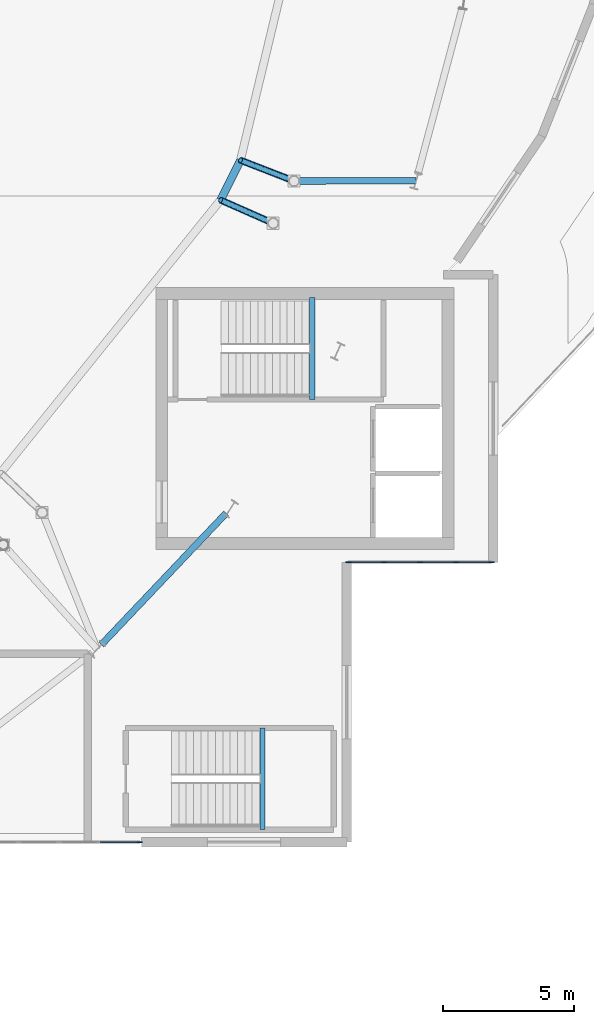
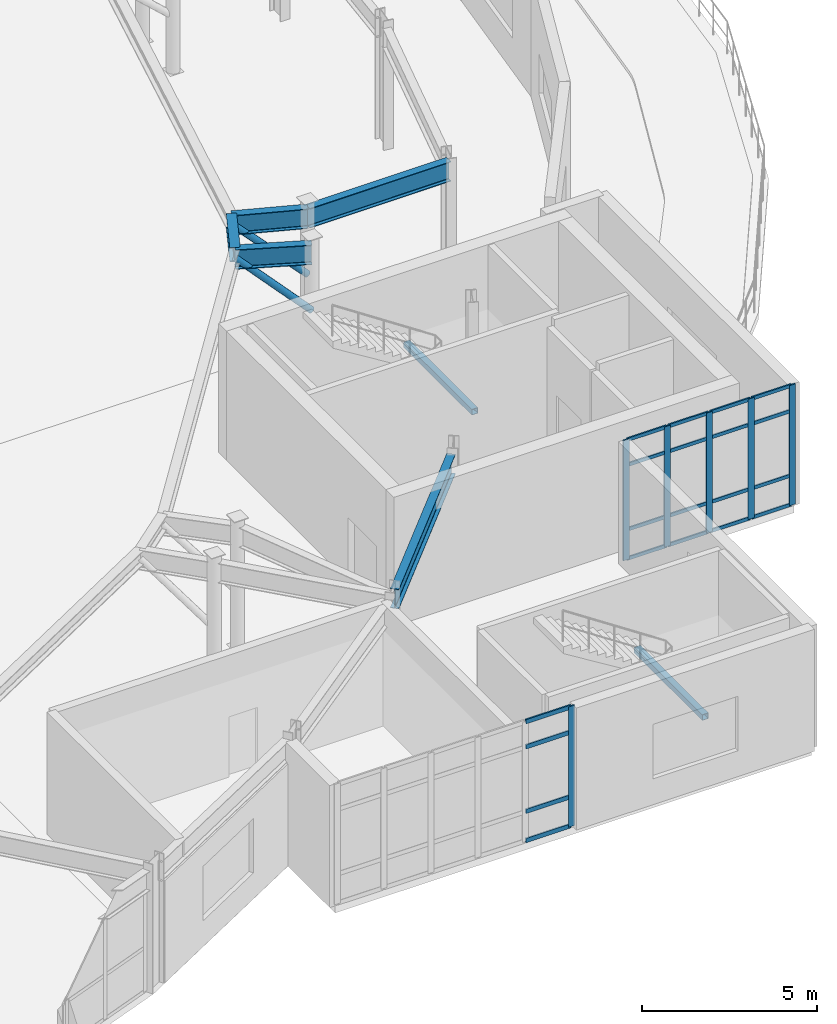
# One storey, part 29 of 48: 28 members, 7 beams, 2 elements without a shape of their own.
"""IFC4 building model written with IfcOpenShell, lengths in metres."""

from ifc_helpers import new_model, si_unit, direction, frame, origin, origin_2d, place, context, subcontext, project, spatial, rectangle, hollow_rectangle, hollow_circle, i_section, extrude, material, material_profile, profile_set, type_object, element, aggregate, save


model = new_model("IFC4")

# Units and contexts
model_context = context("Model", 3, precision=1e-05, world=origin(), true_north=direction((0.0, 1.0)))
body_context = subcontext(model_context, "Body", "Model", "MODEL_VIEW")
ifc_project = project(units=[si_unit("LENGTHUNIT", "METRE"), si_unit("AREAUNIT", "SQUARE_METRE"), si_unit("VOLUMEUNIT", "CUBIC_METRE"), si_unit("PLANEANGLEUNIT", "RADIAN"), si_unit("MASSUNIT", "GRAM", prefix="KILO")], contexts=[model_context])

# Site, building, storey
site_placement = place(None, origin())
site = spatial("IfcSite", under=ifc_project, at=site_placement, CompositionType="ELEMENT")
building_placement = place(site_placement, origin())
building = spatial("IfcBuilding", under=site, at=building_placement, Name="Glasvene Arena", CompositionType="ELEMENT")
storey_placement = place(building_placement, frame((0.0, 0.0, 19.5)))
storey = spatial("IfcBuildingStorey", under=building, at=storey_placement, Name="L04", CompositionType="ELEMENT", Elevation=19.5)

# Beams
ifc_material_1 = material(Name="Steel S355J2", Category="steel")
ifc_material_profile_1 = material_profile(ifc_material_1, i_section(OverallWidth=0.300048828125, OverallDepth=0.5, WebThickness=0.014404296875, FlangeThickness=0.028076171875, FilletRadius=0.027099609375, at=origin_2d()), Name="HEB 500")
ifc_profile_set_1 = profile_set([ifc_material_profile_1], Name="Steel S355J2")
beam_type_1 = type_object("IfcBeamType", Name="BM-EAVE-CANT", PredefinedType="BEAM", material=ifc_profile_set_1)
beam_1_placement = place(storey_placement, frame((132.0751953125, 58.351318359375, 4.0), z_axis=(0.447041372235, 0.894513281908, 0.0), x_axis=(-0.894513281908, 0.447041372235, 0.0)))
element("IfcBeam", 1, at=beam_1_placement, inside=storey, type_object=beam_type_1, Name="Gondola inner ring girder 30", PredefinedType="BEAM", context=body_context, shape_type="SweptSolid", body=[
    extrude(i_section(OverallWidth=0.300048828125, OverallDepth=0.5, WebThickness=0.014404296875, FlangeThickness=0.028076171875, FilletRadius=0.027099609375, at=origin_2d()), origin(), (0.0, 0.0, 1.0), 1.701171875),
])
ifc_material_profile_2 = material_profile(ifc_material_1, i_section(OverallWidth=0.253662109375, OverallDepth=0.68359375, WebThickness=0.012451171875, FlangeThickness=0.01904296875, FilletRadius=0.01513671875, at=origin_2d()), Name="UKB 686x254x140")
ifc_profile_set_2 = profile_set([ifc_material_profile_2], Name="Steel S355J2")
beam_type_2 = type_object("IfcBeamType", Name="BM-GIRD-686", PredefinedType="BEAM", material=ifc_profile_set_2)
beam_2_placement = place(storey_placement, frame((127.5205078125, 41.354248046875, 3.908203125), z_axis=(0.688366558931, 0.725362999157, 0.0), x_axis=(-0.725362999157, 0.688366558931, 0.0)))
element("IfcBeam", 2, at=beam_2_placement, inside=storey, type_object=beam_type_2, Name="Bowl ring chord beam L04-36", PredefinedType="BEAM", context=body_context, shape_type="SweptSolid", body=[
    extrude(i_section(OverallWidth=0.253662109375, OverallDepth=0.68359375, WebThickness=0.012451171875, FlangeThickness=0.01904296875, FilletRadius=0.01513671875, at=origin_2d()), origin(), (0.0, 0.0, 1.0), 6.92236328125),
])
beam_3_placement = place(storey_placement, frame((132.0751953125, 58.351318359375, 3.908203125), z_axis=(0.914938290662, -0.403593761448, 0.0), x_axis=(0.403593761448, 0.914938290662, 0.0)))
element("IfcBeam", 3, at=beam_3_placement, inside=storey, type_object=beam_type_2, Name="Gondola inner bracket beam 30", PredefinedType="BEAM", context=body_context, shape_type="SweptSolid", body=[
    extrude(i_section(OverallWidth=0.253662109375, OverallDepth=0.68359375, WebThickness=0.012451171875, FlangeThickness=0.01904296875, FilletRadius=0.01513671875, at=origin_2d()), origin(), (0.0, 0.0, 1.0), 2.2001953125),
])
beam_4_placement = place(storey_placement, frame((134.886962890625, 59.077392578125, 3.908203125), z_axis=(0.999993482259, 0.003610462575, 0.0), x_axis=(-0.003610462575, 0.999993482259, 0.0)))
element("IfcBeam", 4, at=beam_4_placement, inside=storey, type_object=beam_type_2, Name="Gondola outer floor beam 31", PredefinedType="BEAM", context=body_context, shape_type="SweptSolid", body=[
    extrude(i_section(OverallWidth=0.253662109375, OverallDepth=0.68359375, WebThickness=0.012451171875, FlangeThickness=0.01904296875, FilletRadius=0.01513671875, at=origin_2d()), origin(), (0.0, 0.0, 1.0), 4.665771484375),
])
beam_5_placement = place(storey_placement, frame((132.835693359375, 59.873046875, 3.908203125), z_axis=(0.932320846593, -0.361632187461, 0.0), x_axis=(0.361632187461, 0.932320846593, 0.0)))
element("IfcBeam", 5, at=beam_5_placement, inside=storey, type_object=beam_type_2, Name="Gondola inner bracket beam 31", PredefinedType="BEAM", context=body_context, shape_type="SweptSolid", body=[
    extrude(i_section(OverallWidth=0.253662109375, OverallDepth=0.68359375, WebThickness=0.012451171875, FlangeThickness=0.01904296875, FilletRadius=0.01513671875, at=origin_2d()), origin(), (0.0, 0.0, 1.0), 2.2001953125),
])
ifc_material_profile_3 = material_profile(ifc_material_1, hollow_rectangle(XDim=0.199951171875, YDim=0.199951171875, WallThickness=0.010009765625, at=origin_2d()), Name="SHS 200x200x10.0")
ifc_profile_set_3 = profile_set([ifc_material_profile_3], Name="Steel S355J2")
beam_type_3 = type_object("IfcBeamType", Name="BM-LINTEL-200", PredefinedType="LINTEL", material=ifc_profile_set_3)
beam_6_placement = place(storey_placement, frame((135.580078125, 50.72998046875, 1.929931640625), z_axis=(0.0, 1.0, 0.0), x_axis=(-1.0, 0.0, 0.0)))
element("IfcBeam", 6, at=beam_6_placement, inside=storey, type_object=beam_type_3, Name="Stair half-landing support beam ST-04-L04", PredefinedType="LINTEL", context=body_context, shape_type="SweptSolid", body=[
    extrude(hollow_rectangle(XDim=0.199951171875, YDim=0.199951171875, WallThickness=0.010009765625, at=origin_2d()), origin(), (0.0, 0.0, 1.0), 3.89013671875),
])
beam_7_placement = place(storey_placement, frame((133.679931640625, 34.280029296875, 1.929931640625), z_axis=(0.0, 1.0, 0.0), x_axis=(-1.0, 0.0, 0.0)))
element("IfcBeam", 7, at=beam_7_placement, inside=storey, type_object=beam_type_3, Name="Stair half-landing support beam ST-06-L04", PredefinedType="LINTEL", context=body_context, shape_type="SweptSolid", body=[
    extrude(hollow_rectangle(XDim=0.199951171875, YDim=0.199951171875, WallThickness=0.010009765625, at=origin_2d()), origin(), (0.0, 0.0, 1.0), 3.889892578125),
])

# Curtain wall, members
ifc_material_2 = material(Name="Low-emissivity laminated double glazing", Category="glass")
curtain_wall_type_1 = type_object("IfcCurtainWallType", Name="CW-FAC-L04-552x419", PredefinedType="USERDEFINED", material=ifc_material_2)
curtain_wall_1_placement = place(storey_placement, frame((142.4599609375, 44.5, 0.0)))
curtain_wall_1 = element("IfcCurtainWall", 8, at=curtain_wall_1_placement, inside=storey, type_object=curtain_wall_type_1, Name="Unitised curtain wall CW-F-L04-180-1397-445-46", ObjectType="CURTAIN WALL", PredefinedType="USERDEFINED")
ifc_material_3 = material(Name="Anodised architectural aluminium", Category="aluminium")
ifc_material_profile_4 = material_profile(ifc_material_3, rectangle(XDim=0.050048828125, YDim=0.199951171875, at=origin_2d()), Name="ALU MULLION 50x200")
ifc_profile_set_4 = profile_set([ifc_material_profile_4], Name="Anodised architectural aluminium")
member_type_1 = type_object("IfcMemberType", Name="CW-MUL-180", PredefinedType="MULLION", material=ifc_profile_set_4)
member_1_placement = place(storey_placement, frame((142.43505859375, 44.5, 0.06005859375), z_axis=(0.0, 0.0, 1.0), x_axis=(0.0, -1.0, 0.0)))
member_1 = element("IfcMember", 9, at=member_1_placement, type_object=member_type_1, Name="CW-051 mullion 1", PredefinedType="MULLION", context=body_context, shape_type="SweptSolid", body=[
    extrude(rectangle(XDim=0.050048828125, YDim=0.199951171875, at=origin_2d()), origin(), (0.0, 0.0, 1.0), 4.18994140625),
])
member_2_placement = place(storey_placement, frame((141.080078125, 44.5, 0.06005859375), z_axis=(0.0, 0.0, 1.0), x_axis=(0.0, -1.0, 0.0)))
member_2 = element("IfcMember", 10, at=member_2_placement, type_object=member_type_1, Name="CW-051 mullion 2", PredefinedType="MULLION", context=body_context, shape_type="SweptSolid", body=[
    extrude(rectangle(XDim=0.050048828125, YDim=0.199951171875, at=origin_2d()), origin(), (0.0, 0.0, 1.0), 4.18994140625),
])
member_3_placement = place(storey_placement, frame((139.699951171875, 44.5, 0.06005859375), z_axis=(0.0, 0.0, 1.0), x_axis=(0.0, -1.0, 0.0)))
member_3 = element("IfcMember", 11, at=member_3_placement, type_object=member_type_1, Name="CW-051 mullion 3", PredefinedType="MULLION", context=body_context, shape_type="SweptSolid", body=[
    extrude(rectangle(XDim=0.050048828125, YDim=0.199951171875, at=origin_2d()), origin(), (0.0, 0.0, 1.0), 4.18994140625),
])
member_4_placement = place(storey_placement, frame((138.320068359375, 44.5, 0.06005859375), z_axis=(0.0, 0.0, 1.0), x_axis=(0.0, -1.0, 0.0)))
member_4 = element("IfcMember", 12, at=member_4_placement, type_object=member_type_1, Name="CW-051 mullion 4", PredefinedType="MULLION", context=body_context, shape_type="SweptSolid", body=[
    extrude(rectangle(XDim=0.050048828125, YDim=0.199951171875, at=origin_2d()), origin(), (0.0, 0.0, 1.0), 4.18994140625),
])
member_5_placement = place(storey_placement, frame((136.965087890625, 44.5, 0.06005859375), z_axis=(0.0, 0.0, 1.0), x_axis=(0.0, -1.0, 0.0)))
member_5 = element("IfcMember", 13, at=member_5_placement, type_object=member_type_1, Name="CW-051 mullion 5", PredefinedType="MULLION", context=body_context, shape_type="SweptSolid", body=[
    extrude(rectangle(XDim=0.050048828125, YDim=0.199951171875, at=origin_2d()), origin(), (0.0, 0.0, 1.0), 4.18994140625),
])

# Curtain wall, member
curtain_wall_type_2 = type_object("IfcCurtainWallType", Name="CW-FAC-L03-777x419", PredefinedType="USERDEFINED", material=ifc_material_2)
curtain_wall_2_placement = place(storey_placement, frame((129.010009765625, 33.800048828125, 0.0)))
curtain_wall_2 = element("IfcCurtainWall", 14, at=curtain_wall_2_placement, inside=storey, type_object=curtain_wall_type_2, Name="Unitised curtain wall CW-F-L04-180-1251-338-49", ObjectType="CURTAIN WALL", PredefinedType="USERDEFINED")
member_6_placement = place(storey_placement, frame((128.985107421875, 33.800048828125, 0.06005859375), z_axis=(0.0, 0.0, 1.0), x_axis=(0.0, -1.0, 0.0)))
member_6 = element("IfcMember", 15, at=member_6_placement, type_object=member_type_1, Name="CW-042 mullion 1", PredefinedType="MULLION", context=body_context, shape_type="SweptSolid", body=[
    extrude(rectangle(XDim=0.050048828125, YDim=0.199951171875, at=origin_2d()), origin(), (0.0, 0.0, 1.0), 4.18994140625),
])

# Member
ifc_material_profile_5 = material_profile(ifc_material_3, rectangle(XDim=0.050048828125, YDim=0.1201171875, at=origin_2d()), Name="ALU TRANSOM 50x120")
ifc_profile_set_5 = profile_set([ifc_material_profile_5], Name="Anodised architectural aluminium")
member_type_2 = type_object("IfcMemberType", Name="CW-TRN-120", PredefinedType="USERDEFINED", material=ifc_profile_set_5)
member_7_placement = place(storey_placement, frame((142.409912109375, 44.5, 0.0849609375), z_axis=(-1.0, 0.0, 0.0), x_axis=(0.0, -1.0, 0.0)))
member_7 = element("IfcMember", 16, at=member_7_placement, type_object=member_type_2, Name="CW-051 transom 1.1", ObjectType="TRANSOM", PredefinedType="USERDEFINED", context=body_context, shape_type="SweptSolid", body=[
    extrude(rectangle(XDim=0.050048828125, YDim=0.1201171875, at=origin_2d()), origin(), (0.0, 0.0, 1.0), 1.304931640625),
])

member_8_placement = place(storey_placement, frame((142.409912109375, 44.5, 1.10009765625), z_axis=(-1.0, 0.0, 0.0), x_axis=(0.0, -1.0, 0.0)))
member_8 = element("IfcMember", 17, at=member_8_placement, type_object=member_type_2, Name="CW-051 transom 1.2", ObjectType="TRANSOM", PredefinedType="USERDEFINED", context=body_context, shape_type="SweptSolid", body=[
    extrude(rectangle(XDim=0.050048828125, YDim=0.1201171875, at=origin_2d()), origin(), (0.0, 0.0, 1.0), 1.304931640625),
])

member_9_placement = place(storey_placement, frame((142.409912109375, 44.5, 3.35009765625), z_axis=(-1.0, 0.0, 0.0), x_axis=(0.0, -1.0, 0.0)))
member_9 = element("IfcMember", 18, at=member_9_placement, type_object=member_type_2, Name="CW-051 transom 1.3", ObjectType="TRANSOM", PredefinedType="USERDEFINED", context=body_context, shape_type="SweptSolid", body=[
    extrude(rectangle(XDim=0.050048828125, YDim=0.1201171875, at=origin_2d()), origin(), (0.0, 0.0, 1.0), 1.304931640625),
])

member_10_placement = place(storey_placement, frame((142.409912109375, 44.5, 4.22509765625), z_axis=(-1.0, 0.0, 0.0), x_axis=(0.0, -1.0, 0.0)))
member_10 = element("IfcMember", 19, at=member_10_placement, type_object=member_type_2, Name="CW-051 transom 1.4", ObjectType="TRANSOM", PredefinedType="USERDEFINED", context=body_context, shape_type="SweptSolid", body=[
    extrude(rectangle(XDim=0.050048828125, YDim=0.1201171875, at=origin_2d()), origin(), (0.0, 0.0, 1.0), 1.304931640625),
])

member_11_placement = place(storey_placement, frame((141.054931640625, 44.5, 0.0849609375), z_axis=(-1.0, 0.0, 0.0), x_axis=(0.0, -1.0, 0.0)))
member_11 = element("IfcMember", 20, at=member_11_placement, type_object=member_type_2, Name="CW-051 transom 2.1", ObjectType="TRANSOM", PredefinedType="USERDEFINED", context=body_context, shape_type="SweptSolid", body=[
    extrude(rectangle(XDim=0.050048828125, YDim=0.1201171875, at=origin_2d()), origin(), (0.0, 0.0, 1.0), 1.329833984375),
])

member_12_placement = place(storey_placement, frame((141.054931640625, 44.5, 1.10009765625), z_axis=(-1.0, 0.0, 0.0), x_axis=(0.0, -1.0, 0.0)))
member_12 = element("IfcMember", 21, at=member_12_placement, type_object=member_type_2, Name="CW-051 transom 2.2", ObjectType="TRANSOM", PredefinedType="USERDEFINED", context=body_context, shape_type="SweptSolid", body=[
    extrude(rectangle(XDim=0.050048828125, YDim=0.1201171875, at=origin_2d()), origin(), (0.0, 0.0, 1.0), 1.329833984375),
])

member_13_placement = place(storey_placement, frame((141.054931640625, 44.5, 3.35009765625), z_axis=(-1.0, 0.0, 0.0), x_axis=(0.0, -1.0, 0.0)))
member_13 = element("IfcMember", 22, at=member_13_placement, type_object=member_type_2, Name="CW-051 transom 2.3", ObjectType="TRANSOM", PredefinedType="USERDEFINED", context=body_context, shape_type="SweptSolid", body=[
    extrude(rectangle(XDim=0.050048828125, YDim=0.1201171875, at=origin_2d()), origin(), (0.0, 0.0, 1.0), 1.329833984375),
])

member_14_placement = place(storey_placement, frame((141.054931640625, 44.5, 4.22509765625), z_axis=(-1.0, 0.0, 0.0), x_axis=(0.0, -1.0, 0.0)))
member_14 = element("IfcMember", 23, at=member_14_placement, type_object=member_type_2, Name="CW-051 transom 2.4", ObjectType="TRANSOM", PredefinedType="USERDEFINED", context=body_context, shape_type="SweptSolid", body=[
    extrude(rectangle(XDim=0.050048828125, YDim=0.1201171875, at=origin_2d()), origin(), (0.0, 0.0, 1.0), 1.329833984375),
])

member_15_placement = place(storey_placement, frame((139.675048828125, 44.5, 0.0849609375), z_axis=(-1.0, 0.0, 0.0), x_axis=(0.0, -1.0, 0.0)))
member_15 = element("IfcMember", 24, at=member_15_placement, type_object=member_type_2, Name="CW-051 transom 3.1", ObjectType="TRANSOM", PredefinedType="USERDEFINED", context=body_context, shape_type="SweptSolid", body=[
    extrude(rectangle(XDim=0.050048828125, YDim=0.1201171875, at=origin_2d()), origin(), (0.0, 0.0, 1.0), 1.330078125),
])

member_16_placement = place(storey_placement, frame((139.675048828125, 44.5, 1.10009765625), z_axis=(-1.0, 0.0, 0.0), x_axis=(0.0, -1.0, 0.0)))
member_16 = element("IfcMember", 25, at=member_16_placement, type_object=member_type_2, Name="CW-051 transom 3.2", ObjectType="TRANSOM", PredefinedType="USERDEFINED", context=body_context, shape_type="SweptSolid", body=[
    extrude(rectangle(XDim=0.050048828125, YDim=0.1201171875, at=origin_2d()), origin(), (0.0, 0.0, 1.0), 1.330078125),
])

member_17_placement = place(storey_placement, frame((139.675048828125, 44.5, 3.35009765625), z_axis=(-1.0, 0.0, 0.0), x_axis=(0.0, -1.0, 0.0)))
member_17 = element("IfcMember", 26, at=member_17_placement, type_object=member_type_2, Name="CW-051 transom 3.3", ObjectType="TRANSOM", PredefinedType="USERDEFINED", context=body_context, shape_type="SweptSolid", body=[
    extrude(rectangle(XDim=0.050048828125, YDim=0.1201171875, at=origin_2d()), origin(), (0.0, 0.0, 1.0), 1.330078125),
])

member_18_placement = place(storey_placement, frame((139.675048828125, 44.5, 4.22509765625), z_axis=(-1.0, 0.0, 0.0), x_axis=(0.0, -1.0, 0.0)))
member_18 = element("IfcMember", 27, at=member_18_placement, type_object=member_type_2, Name="CW-051 transom 3.4", ObjectType="TRANSOM", PredefinedType="USERDEFINED", context=body_context, shape_type="SweptSolid", body=[
    extrude(rectangle(XDim=0.050048828125, YDim=0.1201171875, at=origin_2d()), origin(), (0.0, 0.0, 1.0), 1.330078125),
])

member_19_placement = place(storey_placement, frame((138.294921875, 44.5, 0.0849609375), z_axis=(-1.0, 0.0, 0.0), x_axis=(0.0, -1.0, 0.0)))
member_19 = element("IfcMember", 28, at=member_19_placement, type_object=member_type_2, Name="CW-051 transom 4.1", ObjectType="TRANSOM", PredefinedType="USERDEFINED", context=body_context, shape_type="SweptSolid", body=[
    extrude(rectangle(XDim=0.050048828125, YDim=0.1201171875, at=origin_2d()), origin(), (0.0, 0.0, 1.0), 1.304931640625),
])

member_20_placement = place(storey_placement, frame((138.294921875, 44.5, 1.10009765625), z_axis=(-1.0, 0.0, 0.0), x_axis=(0.0, -1.0, 0.0)))
member_20 = element("IfcMember", 29, at=member_20_placement, type_object=member_type_2, Name="CW-051 transom 4.2", ObjectType="TRANSOM", PredefinedType="USERDEFINED", context=body_context, shape_type="SweptSolid", body=[
    extrude(rectangle(XDim=0.050048828125, YDim=0.1201171875, at=origin_2d()), origin(), (0.0, 0.0, 1.0), 1.304931640625),
])

member_21_placement = place(storey_placement, frame((138.294921875, 44.5, 3.35009765625), z_axis=(-1.0, 0.0, 0.0), x_axis=(0.0, -1.0, 0.0)))
member_21 = element("IfcMember", 30, at=member_21_placement, type_object=member_type_2, Name="CW-051 transom 4.3", ObjectType="TRANSOM", PredefinedType="USERDEFINED", context=body_context, shape_type="SweptSolid", body=[
    extrude(rectangle(XDim=0.050048828125, YDim=0.1201171875, at=origin_2d()), origin(), (0.0, 0.0, 1.0), 1.304931640625),
])

member_22_placement = place(storey_placement, frame((138.294921875, 44.5, 4.22509765625), z_axis=(-1.0, 0.0, 0.0), x_axis=(0.0, -1.0, 0.0)))
member_22 = element("IfcMember", 31, at=member_22_placement, type_object=member_type_2, Name="CW-051 transom 4.4", ObjectType="TRANSOM", PredefinedType="USERDEFINED", context=body_context, shape_type="SweptSolid", body=[
    extrude(rectangle(XDim=0.050048828125, YDim=0.1201171875, at=origin_2d()), origin(), (0.0, 0.0, 1.0), 1.304931640625),
])

aggregate(curtain_wall_1, [member_1, member_2, member_3, member_4, member_5, member_7, member_8, member_9, member_10, member_11, member_12, member_13, member_14, member_15, member_16, member_17, member_18, member_19, member_20, member_21, member_22])

ifc_material_profile_6 = material_profile(ifc_material_3, rectangle(XDim=0.050048828125, YDim=0.14990234375, at=origin_2d()), Name="ALU TRANSOM 50x150")
ifc_profile_set_6 = profile_set([ifc_material_profile_6], Name="Anodised architectural aluminium")
member_type_3 = type_object("IfcMemberType", Name="CW-TRN-150", PredefinedType="USERDEFINED", material=ifc_profile_set_6)
member_23_placement = place(storey_placement, frame((128.9599609375, 33.800048828125, 0.0849609375), z_axis=(-1.0, 0.0, 0.0), x_axis=(0.0, -1.0, 0.0)))
member_23 = element("IfcMember", 32, at=member_23_placement, type_object=member_type_3, Name="CW-042 transom 1.1", ObjectType="TRANSOM", PredefinedType="USERDEFINED", context=body_context, shape_type="SweptSolid", body=[
    extrude(rectangle(XDim=0.050048828125, YDim=0.14990234375, at=origin_2d()), origin(), (0.0, 0.0, 1.0), 1.47900390625),
])

member_24_placement = place(storey_placement, frame((128.9599609375, 33.800048828125, 1.10009765625), z_axis=(-1.0, 0.0, 0.0), x_axis=(0.0, -1.0, 0.0)))
member_24 = element("IfcMember", 33, at=member_24_placement, type_object=member_type_3, Name="CW-042 transom 1.2", ObjectType="TRANSOM", PredefinedType="USERDEFINED", context=body_context, shape_type="SweptSolid", body=[
    extrude(rectangle(XDim=0.050048828125, YDim=0.14990234375, at=origin_2d()), origin(), (0.0, 0.0, 1.0), 1.47900390625),
])

member_25_placement = place(storey_placement, frame((128.9599609375, 33.800048828125, 3.35009765625), z_axis=(-1.0, 0.0, 0.0), x_axis=(0.0, -1.0, 0.0)))
member_25 = element("IfcMember", 34, at=member_25_placement, type_object=member_type_3, Name="CW-042 transom 1.3", ObjectType="TRANSOM", PredefinedType="USERDEFINED", context=body_context, shape_type="SweptSolid", body=[
    extrude(rectangle(XDim=0.050048828125, YDim=0.14990234375, at=origin_2d()), origin(), (0.0, 0.0, 1.0), 1.47900390625),
])

member_26_placement = place(storey_placement, frame((128.9599609375, 33.800048828125, 4.22509765625), z_axis=(-1.0, 0.0, 0.0), x_axis=(0.0, -1.0, 0.0)))
member_26 = element("IfcMember", 35, at=member_26_placement, type_object=member_type_3, Name="CW-042 transom 1.4", ObjectType="TRANSOM", PredefinedType="USERDEFINED", context=body_context, shape_type="SweptSolid", body=[
    extrude(rectangle(XDim=0.050048828125, YDim=0.14990234375, at=origin_2d()), origin(), (0.0, 0.0, 1.0), 1.47900390625),
])

aggregate(curtain_wall_2, [member_6, member_23, member_24, member_25, member_26])

# Members
ifc_material_profile_7 = material_profile(ifc_material_1, hollow_circle(Radius=0.109619140625, WallThickness=0.010009765625, at=origin_2d()), Name="CHS 219.1x10.0")
ifc_profile_set_7 = profile_set([ifc_material_profile_7], Name="Steel S355J2")
member_type_4 = type_object("IfcMemberType", Name="MB-WEB-CHS219", PredefinedType="BRACE", material=ifc_profile_set_7)
for number, where, z_axis, x_axis, name in (
    (36, (134.088134765625, 57.46337890625, 1.89990234375), (-0.677010952243, 0.298640246611, 0.672659032235), (-0.403593761448, -0.914938290662, 0.0), "Gondola inclined knee strut 30"),
    (37, (134.886962890625, 59.077392578125, 1.89990234375), (-0.689886462511, 0.267595808299, 0.672643406438), (-0.361632187461, -0.932320846593, 0.0), "Gondola inclined knee strut 31"),
):
    element("IfcMember", number, at=place(storey_placement, frame(where, z_axis=z_axis, x_axis=x_axis)), inside=storey, type_object=member_type_4, Name=name, PredefinedType="BRACE", context=body_context, shape_type="SweptSolid", body=[
        extrude(hollow_circle(Radius=0.109619140625, WallThickness=0.010009765625, at=origin_2d()), origin(), (0.0, 0.0, 1.0), 2.973388671875),
    ])

save(model, "model.ifc")
